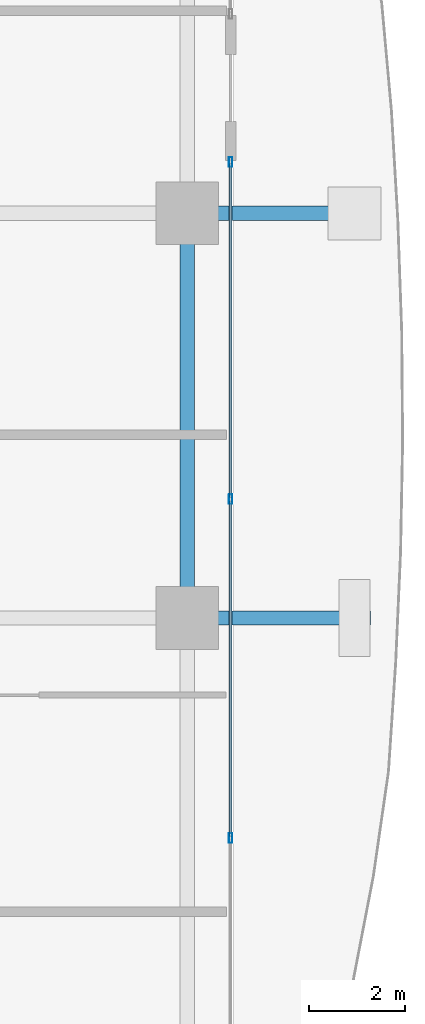
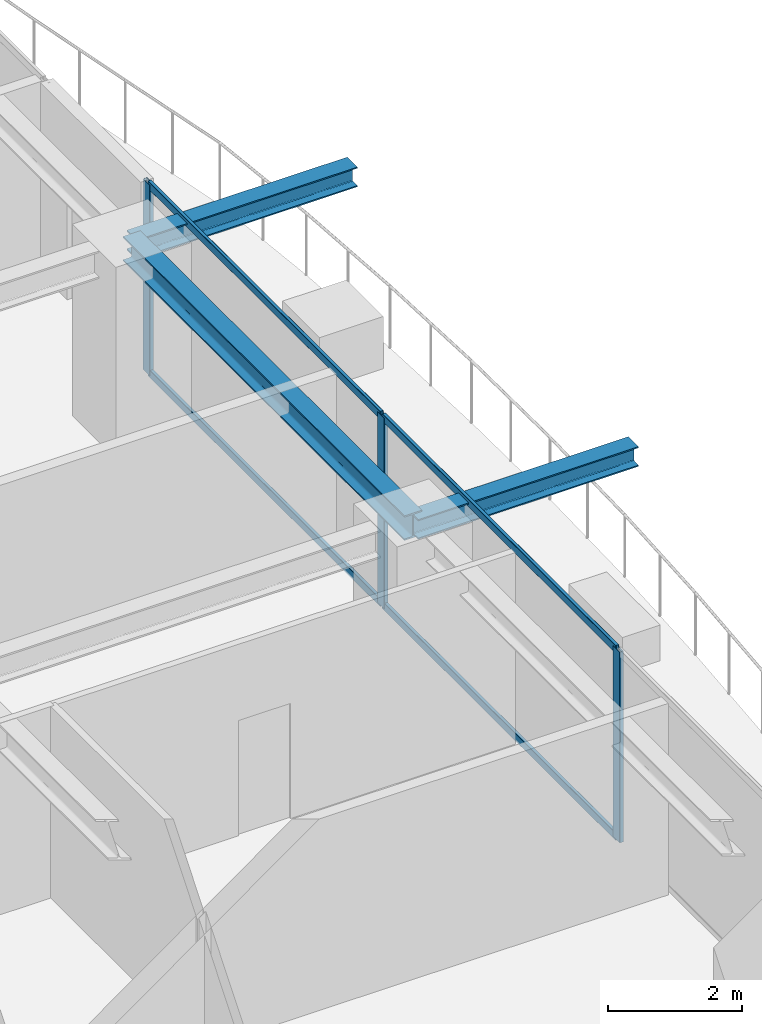
# One storey, part 15 of 36: 7 members, 3 beams, 1 element without a shape of its own.
"""IFC4 building model written with IfcOpenShell, lengths in metres."""

from ifc_helpers import new_model, si_unit, direction, frame, origin, origin_2d, place, context, subcontext, project, spatial, hollow_rectangle, i_section, extrude, source, transform, mapped, material, layer, layer_set, material_profile, profile_set, type_object, element, aggregate, save


model = new_model("IFC4")

# Units and contexts
model_context = context("Model", 3, precision=1e-05, world=origin(), true_north=direction((0.0, 1.0)))
body_context = subcontext(model_context, "Body", "Model", "MODEL_VIEW")
ifc_project = project(units=[si_unit("LENGTHUNIT", "METRE"), si_unit("AREAUNIT", "SQUARE_METRE"), si_unit("VOLUMEUNIT", "CUBIC_METRE"), si_unit("PLANEANGLEUNIT", "RADIAN"), si_unit("MASSUNIT", "GRAM", prefix="KILO")], contexts=[model_context])

# Site, building, storey
site_placement = place(None, origin())
site = spatial("IfcSite", under=ifc_project, at=site_placement, CompositionType="ELEMENT")
building_placement = place(site_placement, origin())
building = spatial("IfcBuilding", under=site, at=building_placement, Name="Serunith Strait Residences", CompositionType="ELEMENT")
storey_placement = place(building_placement, frame((0.0, 0.0, 131.39990234375)))
storey = spatial("IfcBuildingStorey", under=building, at=storey_placement, Name="L32", CompositionType="ELEMENT", Elevation=131.39990234375)

# Beams
ifc_material_1 = material(Name="Steel S355J2", Category="steel")
ifc_material_profile_1 = material_profile(ifc_material_1, i_section(OverallWidth=0.300048828125, OverallDepth=0.449951171875, WebThickness=0.013916015625, FlangeThickness=0.02587890625, FilletRadius=0.027099609375, at=origin_2d()), Name="HEB 450")
ifc_profile_set_1 = profile_set([ifc_material_profile_1], Name="Steel S355J2")
beam_type_1 = type_object("IfcBeamType", Name="BM-HEB450", PredefinedType="BEAM", material=ifc_profile_set_1)
shared_shape_1 = source(origin(), body_context, "Body", "SweptSolid", [
    extrude(i_section(OverallWidth=0.300048828125, OverallDepth=0.449951171875, WebThickness=0.013916015625, FlangeThickness=0.02587890625, FilletRadius=0.027099609375, at=origin_2d()), origin(), (0.0, 0.0, 1.0), 8.39990234375),
])
beam_placement = place(storey_placement, frame((56.10009765625, 21.0, 3.26220703125), z_axis=(0.0, 1.0, 0.0), x_axis=(-1.0, 0.0, 0.0)))
element("IfcBeam", 1, at=beam_placement, inside=storey, type_object=beam_type_1, Name="L32 Perimeter Ring Beam 06", PredefinedType="BEAM", context=body_context, shape_type="MappedRepresentation", body=[
    mapped(shared_shape_1, transform((0.0, 0.0, 0.0), scale=1.0)),
])
ifc_material_profile_2 = material_profile(ifc_material_1, i_section(OverallWidth=0.300048828125, OverallDepth=0.360107421875, WebThickness=0.012451171875, FlangeThickness=0.0224609375, FilletRadius=0.027099609375, at=origin_2d()), Name="HEB 360")
ifc_profile_set_2 = profile_set([ifc_material_profile_2], Name="Steel S355J2")
beam_type_2 = type_object("IfcBeamType", Name="BM-HEB360", PredefinedType="BEAM", material=ifc_profile_set_2)
shared_shape_2 = source(origin(), body_context, "Body", "SweptSolid", [
    extrude(i_section(OverallWidth=0.300048828125, OverallDepth=0.360107421875, WebThickness=0.012451171875, FlangeThickness=0.0224609375, FilletRadius=0.027099609375, at=origin_2d()), origin(), (0.0, 0.0, 1.0), 3.7998046875),
])
for number, where, z_axis, x_axis, name in (
    (2, (56.10009765625, 21.0, 3.277099609375), (1.0, 0.0, 0.0), (0.0, 1.0, 0.0), "L33 Cantilevered Balcony Rib TC-E2"),
    (3, (56.10009765625, 29.39990234375, 3.277099609375), (1.0, 0.0, 0.0), (0.0, 1.0, 0.0), "L33 Cantilevered Balcony Rib TC-E3"),
):
    element("IfcBeam", number, at=place(storey_placement, frame(where, z_axis=z_axis, x_axis=x_axis)), inside=storey, type_object=beam_type_2, Name=name, PredefinedType="BEAM", context=body_context, shape_type="MappedRepresentation", body=[
        mapped(shared_shape_2, transform((0.0, 0.0, 0.0), scale=1.0)),
    ])

# Curtain wall, members
ifc_material_2 = material(Name="Pale-Champagne Anodised Aluminium", Category="aluminium")
ifc_layer = layer(ifc_material_2, 0.199951171875, Name="Pale-Champagne Anodised Aluminium")
ifc_layer_set = layer_set([ifc_layer], Name="Pale-Champagne Anodised Aluminium")
curtain_wall_type = type_object("IfcCurtainWallType", Name="CW-SYS2", PredefinedType="NOTDEFINED", material=ifc_layer_set)
curtain_wall_placement = place(storey_placement, origin())
curtain_wall = element("IfcCurtainWall", 4, at=curtain_wall_placement, inside=storey, type_object=curtain_wall_type, Name="L32 E Unitised Fritted Curtain Wall", PredefinedType="NOTDEFINED")
ifc_material_profile_3 = material_profile(ifc_material_2, hollow_rectangle(XDim=0.070068359375, YDim=0.199951171875, WallThickness=0.00390625, InnerFilletRadius=0.006103515625, OuterFilletRadius=0.010009765625, at=origin_2d()), Name="ALU 200x70x4")
ifc_profile_set_3 = profile_set([ifc_material_profile_3], Name="Pale-Champagne Anodised Aluminium")
member_type_1 = type_object("IfcMemberType", Name="CW-SYS2-MULL", PredefinedType="MULLION", material=ifc_profile_set_3)
shared_shape_3 = source(origin(), body_context, "Body", "SweptSolid", [
    extrude(hollow_rectangle(XDim=0.070068359375, YDim=0.199951171875, WallThickness=0.00390625, InnerFilletRadius=0.006103515625, OuterFilletRadius=0.010009765625, at=origin_2d()), origin(), (0.0, 0.0, 1.0), 3.47509765625),
])
member_1_placement = place(storey_placement, frame((57.0, 16.433349609375, 0.0), z_axis=(0.0, 0.0, 1.0), x_axis=(-1.0, 0.0, 0.0)))
member_1 = element("IfcMember", 5, at=member_1_placement, type_object=member_type_1, Name="CW-2 mullion 2", PredefinedType="MULLION", context=body_context, shape_type="MappedRepresentation", body=[
    mapped(shared_shape_3, transform((0.0, 0.0, 0.0), scale=1.0)),
])
member_2_placement = place(storey_placement, frame((57.0, 23.466552734375, 0.0), z_axis=(0.0, 0.0, 1.0), x_axis=(-1.0, 0.0, 0.0)))
member_2 = element("IfcMember", 6, at=member_2_placement, type_object=member_type_1, Name="CW-2 mullion 3", PredefinedType="MULLION", context=body_context, shape_type="MappedRepresentation", body=[
    mapped(shared_shape_3, transform((0.0, 0.0, 0.0), scale=1.0)),
])
member_3_placement = place(storey_placement, frame((57.0, 30.465087890625, 0.0), z_axis=(0.0, 0.0, 1.0), x_axis=(-1.0, 0.0, 0.0)))
member_3 = element("IfcMember", 7, at=member_3_placement, type_object=member_type_1, Name="CW-2 mullion 4", PredefinedType="MULLION", context=body_context, shape_type="MappedRepresentation", body=[
    mapped(shared_shape_3, transform((0.0, 0.0, 0.0), scale=1.0)),
])
ifc_material_profile_4 = material_profile(ifc_material_2, hollow_rectangle(XDim=0.06005859375, YDim=0.139892578125, WallThickness=0.00341796875, InnerFilletRadius=0.00537109375, OuterFilletRadius=0.0087890625, at=origin_2d()), Name="ALU 140x60x3.5")
ifc_profile_set_4 = profile_set([ifc_material_profile_4], Name="Pale-Champagne Anodised Aluminium")
member_type_2 = type_object("IfcMemberType", Name="CW-SYS2-TRAN", PredefinedType="USERDEFINED", material=ifc_profile_set_4)
shared_shape_4 = source(origin(), body_context, "Body", "SweptSolid", [
    extrude(hollow_rectangle(XDim=0.06005859375, YDim=0.139892578125, WallThickness=0.00341796875, InnerFilletRadius=0.00537109375, OuterFilletRadius=0.0087890625, at=origin_2d()), origin(), (0.0, 0.0, 1.0), 6.92822265625),
])
member_4_placement = place(storey_placement, frame((57.0, 23.501708984375, 0.030029296875), z_axis=(0.0, 1.0, 0.0), x_axis=(-1.0, 0.0, 0.0)))
member_4 = element("IfcMember", 8, at=member_4_placement, type_object=member_type_2, Name="CW-2 transom 3.1", ObjectType="TRANSOM", PredefinedType="USERDEFINED", context=body_context, shape_type="MappedRepresentation", body=[
    mapped(shared_shape_4, transform((0.0, 0.0, 0.0), scale=1.0)),
])
member_5_placement = place(storey_placement, frame((57.0, 23.501708984375, 3.445068359375), z_axis=(0.0, 1.0, 0.0), x_axis=(-1.0, 0.0, 0.0)))
member_5 = element("IfcMember", 9, at=member_5_placement, type_object=member_type_2, Name="CW-2 transom 3.2", ObjectType="TRANSOM", PredefinedType="USERDEFINED", context=body_context, shape_type="MappedRepresentation", body=[
    mapped(shared_shape_4, transform((0.0, 0.0, 0.0), scale=1.0)),
])
shared_shape_5 = source(origin(), body_context, "Body", "SweptSolid", [
    extrude(hollow_rectangle(XDim=0.06005859375, YDim=0.139892578125, WallThickness=0.00341796875, InnerFilletRadius=0.00537109375, OuterFilletRadius=0.0087890625, at=origin_2d()), origin(), (0.0, 0.0, 1.0), 6.96337890625),
])
member_6_placement = place(storey_placement, frame((57.0, 16.46826171875, 0.030029296875), z_axis=(0.0, 1.0, 0.0), x_axis=(-1.0, 0.0, 0.0)))
member_6 = element("IfcMember", 10, at=member_6_placement, type_object=member_type_2, Name="CW-2 transom 2.1", ObjectType="TRANSOM", PredefinedType="USERDEFINED", context=body_context, shape_type="MappedRepresentation", body=[
    mapped(shared_shape_5, transform((0.0, 0.0, 0.0), scale=1.0)),
])
member_7_placement = place(storey_placement, frame((57.0, 16.46826171875, 3.445068359375), z_axis=(0.0, 1.0, 0.0), x_axis=(-1.0, 0.0, 0.0)))
member_7 = element("IfcMember", 11, at=member_7_placement, type_object=member_type_2, Name="CW-2 transom 2.2", ObjectType="TRANSOM", PredefinedType="USERDEFINED", context=body_context, shape_type="MappedRepresentation", body=[
    mapped(shared_shape_5, transform((0.0, 0.0, 0.0), scale=1.0)),
])
aggregate(curtain_wall, [member_1, member_2, member_3, member_6, member_7, member_4, member_5])

save(model, "model.ifc")
